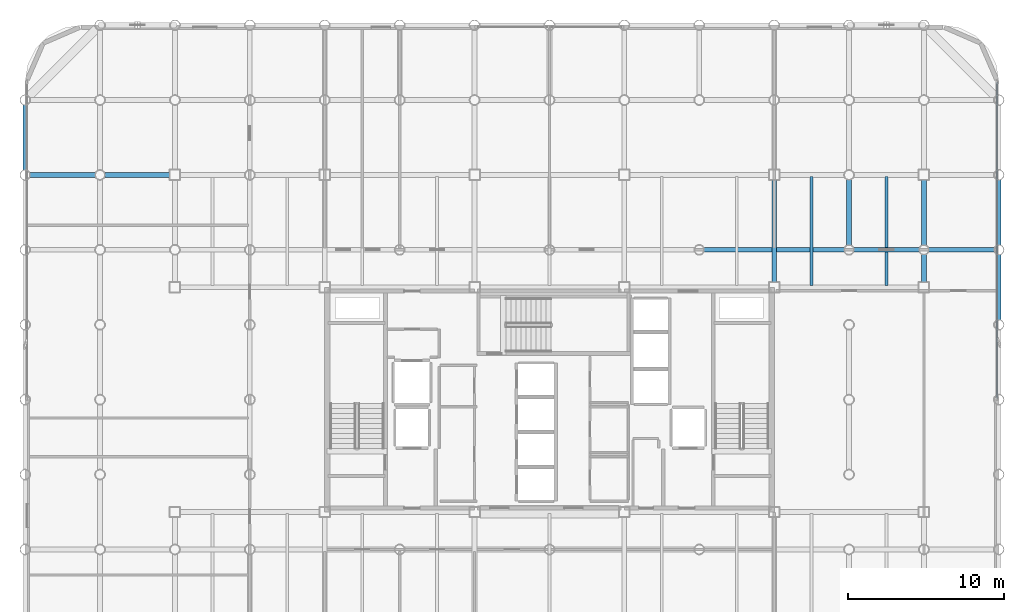
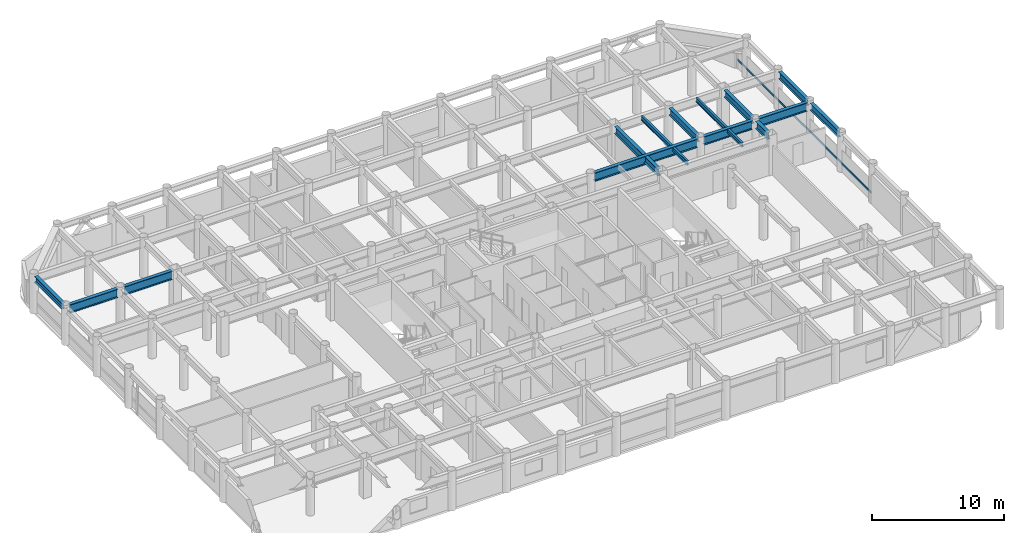
# One storey, part 9 of 19: 14 beams, 1 member, 1 element without a shape of its own.
"""IFC4 building model written with IfcOpenShell, lengths in metres."""

from ifc_helpers import new_model, si_unit, direction, frame, origin, origin_2d, place, context, subcontext, project, spatial, hollow_rectangle, i_section, extrude, material, layer, layer_set, material_profile, profile_set, type_object, element, aggregate, save


model = new_model("IFC4")

# Units and contexts
model_context = context("Model", 3, precision=1e-05, world=origin(), true_north=direction((0.0, 1.0)))
body_context = subcontext(model_context, "Body", "Model", "MODEL_VIEW")
ifc_project = project(units=[si_unit("LENGTHUNIT", "METRE"), si_unit("AREAUNIT", "SQUARE_METRE"), si_unit("VOLUMEUNIT", "CUBIC_METRE"), si_unit("PLANEANGLEUNIT", "RADIAN"), si_unit("MASSUNIT", "GRAM", prefix="KILO")], contexts=[model_context])

# Site, building, storey
site_placement = place(None, origin())
site = spatial("IfcSite", under=ifc_project, at=site_placement, CompositionType="ELEMENT")
building_placement = place(site_placement, origin())
building = spatial("IfcBuilding", under=site, at=building_placement, Name="Kallvorn Hotel Tower", CompositionType="ELEMENT")
storey_placement = place(building_placement, frame((0.0, 0.0, 147.0)))
storey = spatial("IfcBuildingStorey", under=building, at=storey_placement, Name="L36", CompositionType="ELEMENT", Elevation=147.0)

# Beams
ifc_material_1 = material(Name="Structural steel S355JR", Category="steel")
ifc_material_profile_1 = material_profile(ifc_material_1, i_section(OverallWidth=0.300048828125, OverallDepth=0.550048828125, WebThickness=0.014892578125, FlangeThickness=0.029052734375, at=origin_2d()), Name="HE 550 B")
ifc_profile_set_1 = profile_set([ifc_material_profile_1], Name="Structural steel S355JR")
beam_type_1 = type_object("IfcBeamType", Name="BM_HE550B", PredefinedType="SPANDREL", material=ifc_profile_set_1)
beam_1_placement = place(storey_placement, frame((-33.60009765625, 14.719970703125, 3.2451171875), z_axis=(0.0, 1.0, 0.0), x_axis=(-1.0, 0.0, 0.0)))
element("IfcBeam", 1, at=beam_1_placement, inside=storey, type_object=beam_type_1, Name="L37 Perimeter Spandrel 180", PredefinedType="SPANDREL", context=body_context, shape_type="SweptSolid", body=[
    extrude(i_section(OverallWidth=0.300048828125, OverallDepth=0.550048828125, WebThickness=0.014892578125, FlangeThickness=0.029052734375, at=origin_2d()), origin(), (0.0, 0.0, 1.0), 4.159912109375),
])
ifc_material_2 = material(Name="Structural steel S355JR", Category="steel")
ifc_material_profile_2 = material_profile(ifc_material_2, i_section(OverallWidth=0.300048828125, OverallDepth=0.64990234375, WebThickness=0.01611328125, FlangeThickness=0.031005859375, at=origin_2d()), Name="HE 650 B")
ifc_profile_set_2 = profile_set([ifc_material_profile_2], Name="Structural steel S355JR")
beam_type_2 = type_object("IfcBeamType", Name="BM_HE650B", PredefinedType="BEAM", material=ifc_profile_set_2)
beam_2_placement = place(storey_placement, frame((14.39990234375, 7.52490234375, 3.195068359375), z_axis=(0.0, 1.0, 0.0), x_axis=(-1.0, 0.0, 0.0)))
element("IfcBeam", 2, at=beam_2_placement, inside=storey, type_object=beam_type_2, Name="L37 Primary Y-Girder 124", PredefinedType="BEAM", context=body_context, shape_type="SweptSolid", body=[
    extrude(i_section(OverallWidth=0.300048828125, OverallDepth=0.64990234375, WebThickness=0.01611328125, FlangeThickness=0.031005859375, at=origin_2d()), origin(), (0.0, 0.0, 1.0), 6.550048828125),
])
beam_3_placement = place(storey_placement, frame((19.199951171875, 9.905029296875, 3.195068359375), z_axis=(0.0, 1.0, 0.0), x_axis=(-1.0, 0.0, 0.0)))
element("IfcBeam", 3, at=beam_3_placement, inside=storey, type_object=beam_type_2, Name="L37 Primary Y-Girder 133", PredefinedType="BEAM", context=body_context, shape_type="SweptSolid", body=[
    extrude(i_section(OverallWidth=0.300048828125, OverallDepth=0.64990234375, WebThickness=0.01611328125, FlangeThickness=0.031005859375, at=origin_2d()), origin(), (0.0, 0.0, 1.0), 4.18994140625),
])
beam_4_placement = place(storey_placement, frame((24.0, 7.52490234375, 3.195068359375), z_axis=(0.0, 1.0, 0.0), x_axis=(-1.0, 0.0, 0.0)))
element("IfcBeam", 4, at=beam_4_placement, inside=storey, type_object=beam_type_2, Name="L37 Primary Y-Girder 139", PredefinedType="BEAM", context=body_context, shape_type="SweptSolid", body=[
    extrude(i_section(OverallWidth=0.300048828125, OverallDepth=0.64990234375, WebThickness=0.01611328125, FlangeThickness=0.031005859375, at=origin_2d()), origin(), (0.0, 0.0, 1.0), 1.77001953125),
])
beam_5_placement = place(storey_placement, frame((24.0, 9.905029296875, 3.195068359375), z_axis=(0.0, 1.0, 0.0), x_axis=(-1.0, 0.0, 0.0)))
element("IfcBeam", 5, at=beam_5_placement, inside=storey, type_object=beam_type_2, Name="L37 Primary Y-Girder 140", PredefinedType="BEAM", context=body_context, shape_type="SweptSolid", body=[
    extrude(i_section(OverallWidth=0.300048828125, OverallDepth=0.64990234375, WebThickness=0.01611328125, FlangeThickness=0.031005859375, at=origin_2d()), origin(), (0.0, 0.0, 1.0), 4.169921875),
])
for number, where, z_axis, x_axis, name in (
    (6, (28.800048828125, 5.10498046875, 3.195068359375), (0.0, 1.0, 0.0), (-1.0, 0.0, 0.0), "L37 Primary Y-Girder 148"),
    (7, (28.800048828125, 9.905029296875, 3.195068359375), (0.0, 1.0, 0.0), (-1.0, 0.0, 0.0), "L37 Primary Y-Girder 149"),
):
    element("IfcBeam", number, at=place(storey_placement, frame(where, z_axis=z_axis, x_axis=x_axis)), inside=storey, type_object=beam_type_2, Name=name, PredefinedType="BEAM", context=body_context, shape_type="SweptSolid", body=[
        extrude(i_section(OverallWidth=0.300048828125, OverallDepth=0.64990234375, WebThickness=0.01611328125, FlangeThickness=0.031005859375, at=origin_2d()), origin(), (0.0, 0.0, 1.0), 4.18994140625),
    ])
ifc_material_3 = material(Name="Structural steel S355JR", Category="steel")
ifc_material_profile_3 = material_profile(ifc_material_3, i_section(OverallWidth=0.300048828125, OverallDepth=0.800048828125, WebThickness=0.017578125, FlangeThickness=0.032958984375, at=origin_2d()), Name="HE 800 B")
ifc_profile_set_3 = profile_set([ifc_material_profile_3], Name="Structural steel S355JR")
beam_type_3 = type_object("IfcBeamType", Name="BM_HE800B", PredefinedType="BEAM", material=ifc_profile_set_3)
beam_6_placement = place(storey_placement, frame((9.905029296875, 9.60009765625, 3.1201171875), z_axis=(1.0, 0.0, 0.0), x_axis=(0.0, 1.0, 0.0)))
element("IfcBeam", 8, at=beam_6_placement, inside=storey, type_object=beam_type_3, Name="L37 Primary X-Girder 47", PredefinedType="BEAM", context=body_context, shape_type="SweptSolid", body=[
    extrude(i_section(OverallWidth=0.300048828125, OverallDepth=0.800048828125, WebThickness=0.017578125, FlangeThickness=0.032958984375, at=origin_2d()), origin(), (0.0, 0.0, 1.0), 8.989990234375),
])
for number, where, z_axis, x_axis, name in (
    (9, (19.5048828125, 9.60009765625, 3.1201171875), (1.0, 0.0, 0.0), (0.0, 1.0, 0.0), "L37 Primary X-Girder 48"),
    (10, (24.304931640625, 9.60009765625, 3.1201171875), (1.0, 0.0, 0.0), (0.0, 1.0, 0.0), "L37 Primary X-Girder 49"),
):
    element("IfcBeam", number, at=place(storey_placement, frame(where, z_axis=z_axis, x_axis=x_axis)), inside=storey, type_object=beam_type_3, Name=name, PredefinedType="BEAM", context=body_context, shape_type="SweptSolid", body=[
        extrude(i_section(OverallWidth=0.300048828125, OverallDepth=0.800048828125, WebThickness=0.017578125, FlangeThickness=0.032958984375, at=origin_2d()), origin(), (0.0, 0.0, 1.0), 4.190185546875),
    ])
beam_7_placement = place(storey_placement, frame((-33.294921875, 14.39990234375, 3.1201171875), z_axis=(1.0, 0.0, 0.0), x_axis=(0.0, 1.0, 0.0)))
element("IfcBeam", 11, at=beam_7_placement, inside=storey, type_object=beam_type_3, Name="L37 Primary X-Girder 50", PredefinedType="BEAM", context=body_context, shape_type="SweptSolid", body=[
    extrude(i_section(OverallWidth=0.300048828125, OverallDepth=0.800048828125, WebThickness=0.017578125, FlangeThickness=0.032958984375, at=origin_2d()), origin(), (0.0, 0.0, 1.0), 4.18994140625),
])
beam_8_placement = place(storey_placement, frame((-28.4951171875, 14.39990234375, 3.1201171875), z_axis=(1.0, 0.0, 0.0), x_axis=(0.0, 1.0, 0.0)))
element("IfcBeam", 12, at=beam_8_placement, inside=storey, type_object=beam_type_3, Name="L37 Primary X-Girder 51", PredefinedType="BEAM", context=body_context, shape_type="SweptSolid", body=[
    extrude(i_section(OverallWidth=0.300048828125, OverallDepth=0.800048828125, WebThickness=0.017578125, FlangeThickness=0.032958984375, at=origin_2d()), origin(), (0.0, 0.0, 1.0), 4.170166015625),
])
ifc_material_4 = material(Name="Structural steel S355JR", Category="steel")
ifc_material_profile_4 = material_profile(ifc_material_4, i_section(OverallWidth=0.179931640625, OverallDepth=0.39990234375, WebThickness=0.008544921875, FlangeThickness=0.013427734375, at=origin_2d()), Name="IPE 400")
ifc_profile_set_4 = profile_set([ifc_material_profile_4], Name="Structural steel S355JR")
beam_type_4 = type_object("IfcBeamType", Name="BM_IPE400", PredefinedType="JOIST", material=ifc_profile_set_4)
for number, where, z_axis, x_axis, name in (
    (13, (16.800048828125, 7.300048828125, 3.320068359375), (0.0, 1.0, 0.0), (-1.0, 0.0, 0.0), "L37 Secondary Composite Joist 207"),
    (14, (21.60009765625, 7.300048828125, 3.320068359375), (0.0, 1.0, 0.0), (-1.0, 0.0, 0.0), "L37 Secondary Composite Joist 209"),
):
    element("IfcBeam", number, at=place(storey_placement, frame(where, z_axis=z_axis, x_axis=x_axis)), inside=storey, type_object=beam_type_4, Name=name, PredefinedType="JOIST", context=body_context, shape_type="SweptSolid", body=[
        extrude(i_section(OverallWidth=0.179931640625, OverallDepth=0.39990234375, WebThickness=0.008544921875, FlangeThickness=0.013427734375, at=origin_2d()), origin(), (0.0, 0.0, 1.0), 7.0),
    ])

# Curtain wall, member
ifc_material_5 = material(Name="Thermally broken black-anodised aluminium AA 6063-T6", Category="aluminium")
ifc_layer = layer(ifc_material_5, 0.2099609375)
ifc_layer_set = layer_set([ifc_layer], Name="CW_SYS_4_HOTEL_MID")
curtain_wall_type = type_object("IfcCurtainWallType", Name="CW_SYS_4_HOTEL_MID", PredefinedType="USERDEFINED", material=ifc_layer_set)
curtain_wall_placement = place(storey_placement, origin())
curtain_wall = element("IfcCurtainWall", 15, at=curtain_wall_placement, inside=storey, type_object=curtain_wall_type, Name="L36 Dark-Glass Curtain Wall CW-L36-EN", ObjectType="UNITISED CURTAIN WALL", PredefinedType="USERDEFINED")
ifc_material_6 = material(Name="Thermally broken black-anodised aluminium AA 6063-T6", Category="aluminium")
ifc_material_profile_5 = material_profile(ifc_material_6, hollow_rectangle(XDim=0.070068359375, YDim=0.179931640625, WallThickness=0.00390625, at=origin_2d()), Name="TRN 180x70")
ifc_profile_set_5 = profile_set([ifc_material_profile_5], Name="Thermally broken black-anodised aluminium AA 6063-T6")
member_type = type_object("IfcMemberType", Name="CW_TRANSOM_180x70", PredefinedType="USERDEFINED", material=ifc_profile_set_5)
member_placement = place(storey_placement, frame((28.679931640625, 0.06005859375, 0.85009765625), z_axis=(0.0, 1.0, 0.0), x_axis=(-1.0, 0.0, 0.0)))
member = element("IfcMember", 16, at=member_placement, type_object=member_type, Name="CW-L36-EN Transom 00M", ObjectType="TRANSOM", PredefinedType="USERDEFINED", context=body_context, shape_type="SweptSolid", body=[
    extrude(hollow_rectangle(XDim=0.070068359375, YDim=0.179931640625, WallThickness=0.00390625, at=origin_2d()), origin(), (0.0, 0.0, 1.0), 20.300048828125),
])
aggregate(curtain_wall, [member])

save(model, "model.ifc")
